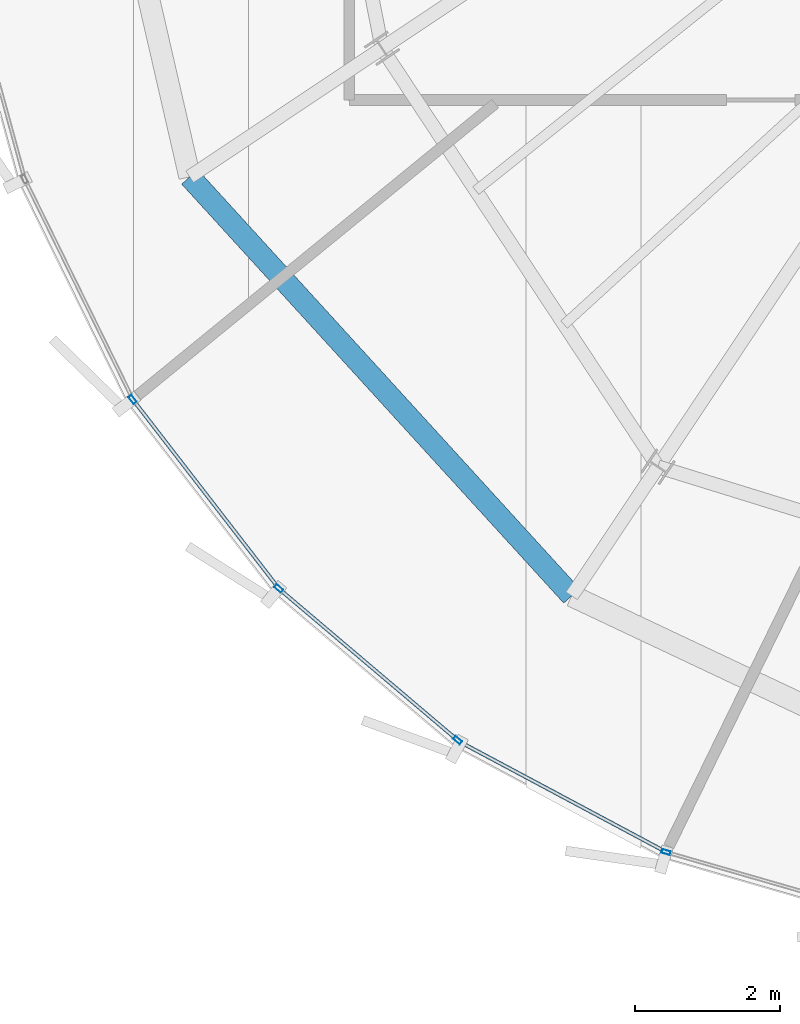
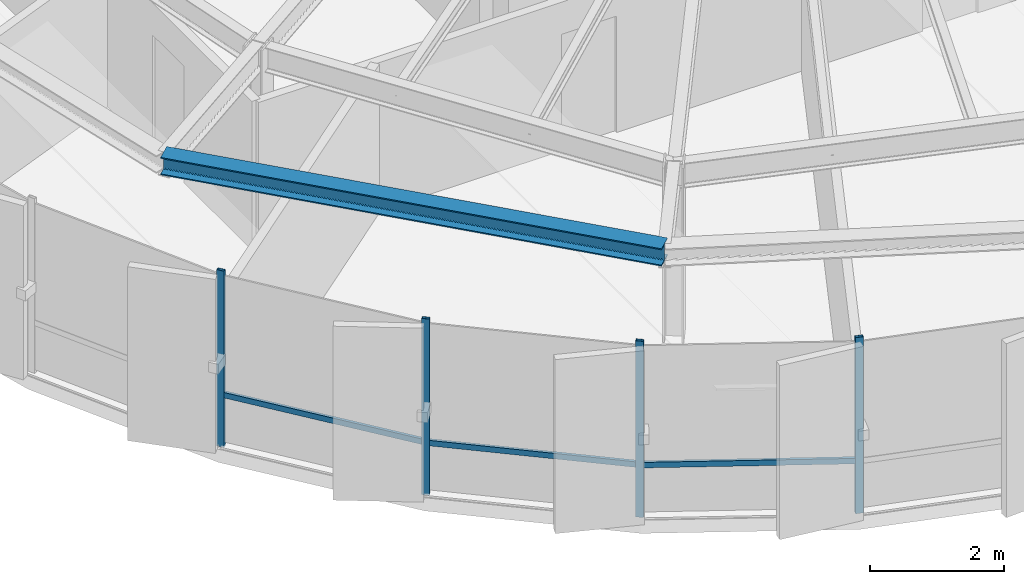
# One storey, part 2 of 34: 7 members, 1 beam, 2 elements without a shape of their own.
"""IFC4 building model written with IfcOpenShell, lengths in metres."""

from ifc_helpers import new_model, si_unit, direction, frame, origin, origin_2d, place, context, subcontext, project, spatial, hollow_rectangle, i_section, extrude, source, transform, mapped, material, layer, layer_set, material_profile, profile_set, type_object, element, aggregate, save


model = new_model("IFC4")

# Units and contexts
model_context = context("Model", 3, precision=1e-05, world=origin(), true_north=direction((0.0, 1.0)))
body_context = subcontext(model_context, "Body", "Model", "MODEL_VIEW")
ifc_project = project(units=[si_unit("LENGTHUNIT", "METRE"), si_unit("AREAUNIT", "SQUARE_METRE"), si_unit("VOLUMEUNIT", "CUBIC_METRE"), si_unit("PLANEANGLEUNIT", "RADIAN"), si_unit("MASSUNIT", "GRAM", prefix="KILO"), si_unit("THERMODYNAMICTEMPERATUREUNIT", "KELVIN")], contexts=[model_context])

# Site, building, storey
site_placement = place(None, origin())
site = spatial("IfcSite", under=ifc_project, at=site_placement, CompositionType="ELEMENT")
building_placement = place(site_placement, origin())
building = spatial("IfcBuilding", under=site, at=building_placement, Name="Kethvar Cultural Tower", CompositionType="ELEMENT")
storey_placement = place(building_placement, frame((0.0, 0.0, 259.449951171875)))
storey = spatial("IfcBuildingStorey", under=building, at=storey_placement, Name="L68", CompositionType="ELEMENT", Elevation=259.449951171875)

# Beam
ifc_material_1 = material(Name="Steel S355J2", Category="steel")
ifc_material_profile_1 = material_profile(ifc_material_1, i_section(OverallWidth=0.300048828125, OverallDepth=0.320068359375, WebThickness=0.011474609375, FlangeThickness=0.0205078125, FilletRadius=0.027099609375, at=origin_2d()), Name="Steel S355J2 — HEB320")
ifc_profile_set_1 = profile_set([ifc_material_profile_1], Name="Steel S355J2 — HEB320")
beam_type = type_object("IfcBeamType", Name="BM-SP320", PredefinedType="SPANDREL", material=ifc_profile_set_1)
shared_shape_1 = source(origin(), body_context, "Body", "SweptSolid", [
    extrude(i_section(OverallWidth=0.300048828125, OverallDepth=0.320068359375, WebThickness=0.011474609375, FlangeThickness=0.0205078125, FilletRadius=0.027099609375, at=origin_2d()), origin(), (0.0, 0.0, 1.0), 7.845458984375),
])
beam_placement = place(storey_placement, frame((30.252197265625, 16.7431640625, 3.048095703125), z_axis=(0.673774847979, -0.738936705159, 0.0), x_axis=(0.738936705159, 0.673774847979, 0.0)))
element("IfcBeam", 1, at=beam_placement, inside=storey, type_object=beam_type, Name="L68 Perimeter Spandrel Beam SP-10", PredefinedType="SPANDREL", context=body_context, shape_type="MappedRepresentation", body=[
    mapped(shared_shape_1, transform((0.0, 0.0, 0.0), scale=1.0)),
])

# Curtain wall, members
ifc_material_2 = material(Name="Aluminium 6063-T6", Category="aluminium")
ifc_layer = layer(ifc_material_2, 0.179931640625, Name="Aluminium 6063-T6", Category="aluminium")
ifc_layer_set = layer_set([ifc_layer], Name="Aluminium 6063-T6 (180 mm)")
curtain_wall_type = type_object("IfcCurtainWallType", Name="CW-SYS-05-Z56", PredefinedType="NOTDEFINED", material=ifc_layer_set)
curtain_wall_1_placement = place(storey_placement, origin())
curtain_wall_1 = element("IfcCurtainWall", 2, at=curtain_wall_1_placement, inside=storey, type_object=curtain_wall_type, Name="L68 Curtain Wall Run 03", PredefinedType="NOTDEFINED")
ifc_material_profile_2 = material_profile(ifc_material_2, hollow_rectangle(XDim=0.054931640625, YDim=0.1201171875, WallThickness=0.00390625, at=origin_2d()), Name="Aluminium 6063-T6 — RHS120x55x4")
ifc_profile_set_2 = profile_set([ifc_material_profile_2], Name="Aluminium 6063-T6 — RHS120x55x4")
member_type_1 = type_object("IfcMemberType", Name="CW-SYS-05-Z56-MUL", PredefinedType="MULLION", material=ifc_profile_set_2)
shared_shape_2 = source(origin(), body_context, "Body", "SweptSolid", [
    extrude(hollow_rectangle(XDim=0.054931640625, YDim=0.1201171875, WallThickness=0.00390625, at=origin_2d()), origin(), (0.0, 0.0, 1.0), 3.2099609375),
])
member_1_placement = place(storey_placement, frame((29.46337890625, 13.664306640625, 0.0), z_axis=(0.0, 0.0, 1.0), x_axis=(0.791223532967, 0.611527040186, 0.0)))
member_1 = element("IfcMember", 3, at=member_1_placement, type_object=member_type_1, Name="CW-L68-R03 Mullion 5", PredefinedType="MULLION", context=body_context, shape_type="MappedRepresentation", body=[
    mapped(shared_shape_2, transform((0.0, 0.0, 0.0), scale=1.0)),
])
member_2_placement = place(storey_placement, frame((31.48388671875, 11.046875, 0.0), z_axis=(0.0, 0.0, 1.0), x_axis=(0.646696597169, 0.762747344282, 0.0)))
member_2 = element("IfcMember", 4, at=member_2_placement, type_object=member_type_1, Name="CW-L68-R03 Mullion 6", PredefinedType="MULLION", context=body_context, shape_type="MappedRepresentation", body=[
    mapped(shared_shape_2, transform((0.0, 0.0, 0.0), scale=1.0)),
])
member_3_placement = place(storey_placement, frame((33.95849609375, 8.94873046875, 0.0), z_axis=(0.0, 0.0, 1.0), x_axis=(0.646696597169, 0.762747344282, 0.0)))
member_3 = element("IfcMember", 5, at=member_3_placement, type_object=member_type_1, Name="CW-L68-R03 Mullion 7", PredefinedType="MULLION", context=body_context, shape_type="MappedRepresentation", body=[
    mapped(shared_shape_2, transform((0.0, 0.0, 0.0), scale=1.0)),
])

# Curtain wall, member
curtain_wall_2_placement = place(storey_placement, origin())
curtain_wall_2 = element("IfcCurtainWall", 6, at=curtain_wall_2_placement, inside=storey, type_object=curtain_wall_type, Name="L68 Curtain Wall Run 04", PredefinedType="NOTDEFINED")
member_4_placement = place(storey_placement, frame((36.84228515625, 7.39990234375, 0.0), z_axis=(0.0, 0.0, 1.0), x_axis=(0.277314653302, 0.960779154158, 0.0)))
member_4 = element("IfcMember", 7, at=member_4_placement, type_object=member_type_1, Name="CW-L68-R04 Mullion 2", PredefinedType="MULLION", context=body_context, shape_type="MappedRepresentation", body=[
    mapped(shared_shape_2, transform((0.0, 0.0, 0.0), scale=1.0)),
])

# Member
ifc_material_profile_3 = material_profile(ifc_material_2, hollow_rectangle(XDim=0.050048828125, YDim=0.10009765625, WallThickness=0.00390625, at=origin_2d()), Name="Aluminium 6063-T6 — RHS100x50x4")
ifc_profile_set_3 = profile_set([ifc_material_profile_3], Name="Aluminium 6063-T6 — RHS100x50x4")
member_type_2 = type_object("IfcMemberType", Name="CW-SYS-05-Z56-TRN", PredefinedType="USERDEFINED", material=ifc_profile_set_3)
shared_shape_3 = source(origin(), body_context, "Body", "SweptSolid", [
    extrude(hollow_rectangle(XDim=0.050048828125, YDim=0.10009765625, WallThickness=0.00390625, at=origin_2d()), origin(), (0.0, 0.0, 1.0), 3.248291015625),
])
member_5_placement = place(storey_placement, frame((29.48779296875, 13.633056640625, 0.949951171875), z_axis=(0.611518090644, -0.791230449878, 0.0), x_axis=(0.791230449878, 0.611518090644, 0.0)))
member_5 = element("IfcMember", 8, at=member_5_placement, type_object=member_type_2, Name="CW-L68-R03 Transom 5", ObjectType="TRANSOM", PredefinedType="USERDEFINED", context=body_context, shape_type="MappedRepresentation", body=[
    mapped(shared_shape_3, transform((0.0, 0.0, 0.0), scale=1.0)),
])

shared_shape_4 = source(origin(), body_context, "Body", "SweptSolid", [
    extrude(hollow_rectangle(XDim=0.050048828125, YDim=0.10009765625, WallThickness=0.00390625, at=origin_2d()), origin(), (0.0, 0.0, 1.0), 3.201171875),
])
member_6_placement = place(storey_placement, frame((31.513916015625, 11.021240234375, 0.949951171875), z_axis=(0.762761052633, -0.646680428485, 0.0), x_axis=(0.646680428485, 0.762761052633, 0.0)))
member_6 = element("IfcMember", 9, at=member_6_placement, type_object=member_type_2, Name="CW-L68-R03 Transom 6", ObjectType="TRANSOM", PredefinedType="USERDEFINED", context=body_context, shape_type="MappedRepresentation", body=[
    mapped(shared_shape_4, transform((0.0, 0.0, 0.0), scale=1.0)),
])

aggregate(curtain_wall_1, [member_1, member_2, member_3, member_5, member_6])

shared_shape_5 = source(origin(), body_context, "Body", "SweptSolid", [
    extrude(hollow_rectangle(XDim=0.050048828125, YDim=0.10009765625, WallThickness=0.00390625, at=origin_2d()), origin(), (0.0, 0.0, 1.0), 3.200927734375),
])
member_7_placement = place(storey_placement, frame((34.003173828125, 8.9189453125, 0.949951171875), z_axis=(0.882067754814, -0.471122569951, 0.0), x_axis=(0.471122569951, 0.882067754814, 0.0)))
member_7 = element("IfcMember", 10, at=member_7_placement, type_object=member_type_2, Name="CW-L68-R04 Transom 1", ObjectType="TRANSOM", PredefinedType="USERDEFINED", context=body_context, shape_type="MappedRepresentation", body=[
    mapped(shared_shape_5, transform((0.0, 0.0, 0.0), scale=1.0)),
])

aggregate(curtain_wall_2, [member_4, member_7])

save(model, "model.ifc")
